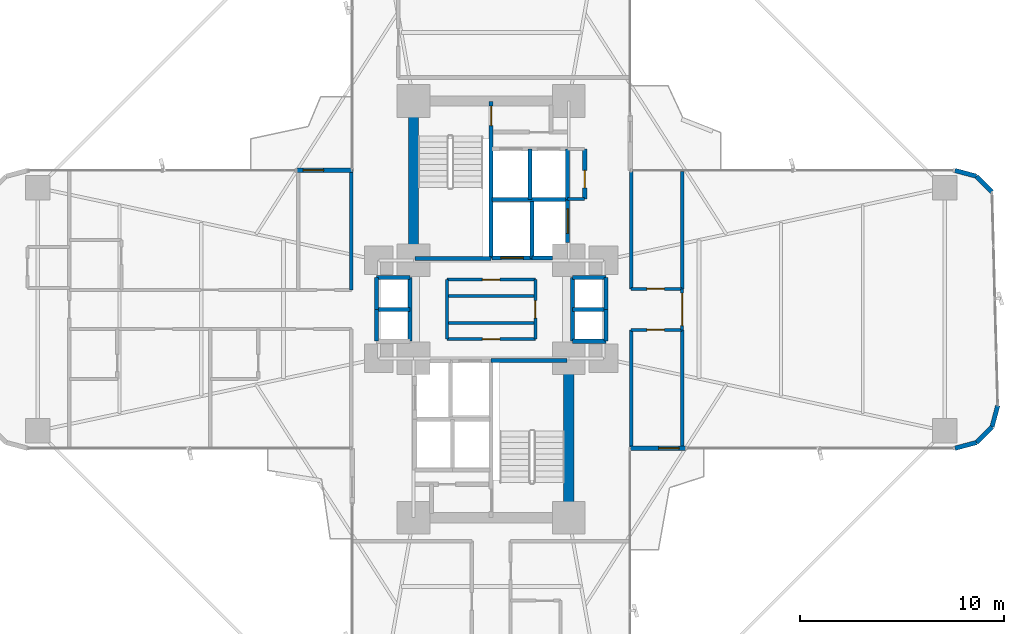
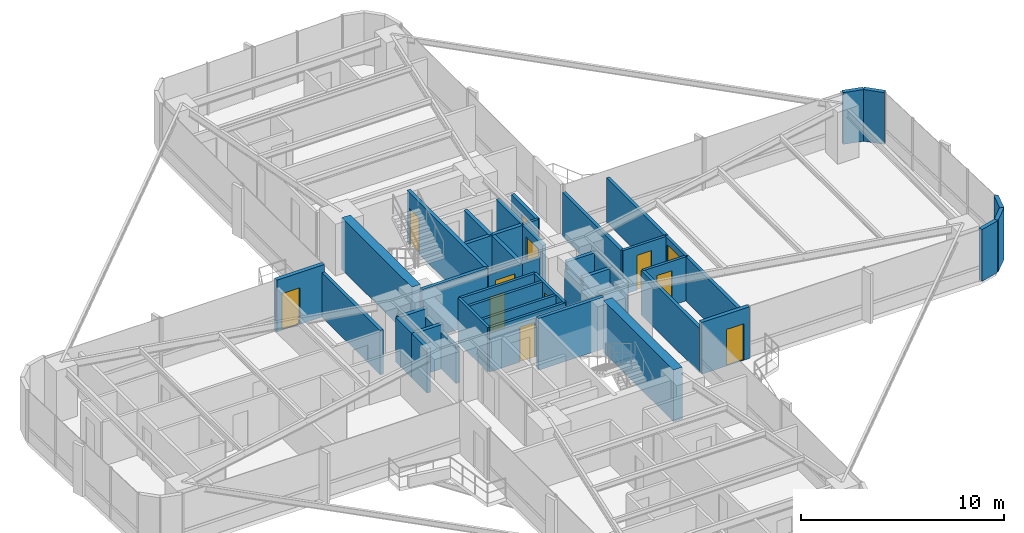
# One storey, part 23 of 25: 46 walls, 12 doors, 12 openings.
"""IFC4 building model written with IfcOpenShell, lengths in metres."""

from ifc_helpers import new_model, si_unit, direction, frame, frame_2d, origin, origin_2d, place, context, subcontext, project, spatial, rectangle, extrude, source, transform, mapped, material, layer, layer_set, type_object, element, fill, save


model = new_model("IFC4")

# Units and contexts
model_context = context("Model", 3, precision=1e-05, world=origin(), true_north=direction((0.0, 1.0)))
body_context = subcontext(model_context, "Body", "Model", "MODEL_VIEW")
ifc_project = project(units=[si_unit("LENGTHUNIT", "METRE"), si_unit("AREAUNIT", "SQUARE_METRE"), si_unit("VOLUMEUNIT", "CUBIC_METRE"), si_unit("PLANEANGLEUNIT", "RADIAN"), si_unit("MASSUNIT", "GRAM", prefix="KILO")], contexts=[model_context])

# Site, building, storey
site_placement = place(None, origin())
site = spatial("IfcSite", under=ifc_project, at=site_placement, CompositionType="ELEMENT")
building_placement = place(site_placement, origin())
building = spatial("IfcBuilding", under=site, at=building_placement, Name="Sahyath Konkavel Grand Hotel", CompositionType="ELEMENT")
storey_placement = place(building_placement, frame((0.0, 0.0, 67.800048828125)))
storey = spatial("IfcBuildingStorey", under=building, at=storey_placement, Name="L18", CompositionType="ELEMENT", Elevation=67.800048828125)

# Walls
ifc_material_1 = material(Name="Concrete C70/85", Category="concrete")
ifc_layer_1 = layer(ifc_material_1, 0.5)
ifc_layer_set_1 = layer_set([ifc_layer_1], Name="Concrete C70/85")
wall_type_1 = type_object("IfcWallType", Name="CWALL-500", PredefinedType="SHEAR", material=ifc_layer_set_1)
for number, where, z_axis, x_axis, name in (
    (1, (-3.800048828125, 2.85009765625, 0.0), (0.0, 0.0, 1.0), (0.0, 1.0, 0.0), "L18 North Core Shear Wall W"),
    (2, (3.800048828125, -9.75, 0.0), (0.0, 0.0, 1.0), (0.0, 1.0, 0.0), "L18 South Core Shear Wall E"),
):
    element("IfcWall", number, at=place(storey_placement, frame(where, z_axis=z_axis, x_axis=x_axis)), inside=storey, type_object=wall_type_1, Name=name, PredefinedType="SHEAR", context=body_context, shape_type="SweptSolid", body=[
        extrude(rectangle(XDim=6.89990234375, YDim=0.5, at=frame_2d((3.449951171875, 0.0))), origin(), (0.0, 0.0, 1.0), 3.10986328125),
    ])

# Wall, opening, door
ifc_material_2 = material(Name="Warm Buff Sandstone Insulated Concrete C40/50", Category="masonry")
ifc_layer_2 = layer(ifc_material_2, 0.219970703125)
ifc_layer_set_2 = layer_set([ifc_layer_2], Name="Warm Buff Sandstone Insulated Concrete C40/50")
wall_type_2 = type_object("IfcWallType", Name="WLL-BALC-THRESH", PredefinedType="STANDARD", material=ifc_layer_set_2)
wall_1_placement = place(storey_placement, frame((6.800048828125, -6.800048828125, 0.0), z_axis=(0.0, 0.0, 1.0), x_axis=(1.0, 0.0, 0.0)))
wall_1 = element("IfcWall", 3, at=wall_1_placement, inside=storey, type_object=wall_type_2, Name="L18 Winter-Garden Threshold Wall 0", PredefinedType="STANDARD", context=body_context, shape_type="SweptSolid", body=[
    extrude(rectangle(XDim=2.699951171875, YDim=0.219970703125, at=frame_2d((1.35009765625, 0.0))), origin(), (0.0, 0.0, 1.0), 3.10986328125),
])
opening_1_placement = place(wall_1_placement, frame((1.39990234375, 0.0, 0.0)))
opening_1 = element("IfcOpeningElement", 4, at=opening_1_placement, cuts=wall_1, Name="Opening D-TR1", PredefinedType="OPENING", context=body_context, shape_type="SweptSolid", body=[
    extrude(rectangle(XDim=1.0, YDim=2.199951171875, at=frame_2d((0.5, 1.10009765625))), frame((0.0, 0.1201171875, 0.0), z_axis=(0.0, -1.0, 0.0), x_axis=(1.0, 0.0, 0.0)), (0.0, 0.0, 1.0), 0.239990234375),
])
ifc_material_3 = material(Name="Anodised Bronze Aluminium & Low-E Glazing", Category="aluminium")
door_type_1 = type_object("IfcDoorType", Name="DR-TERRACE-1000", OperationType="NOTDEFINED", PredefinedType="DOOR", material=ifc_material_3)
shared_shape_1 = source(origin(), body_context, "Body", "SweptSolid", [
    extrude(rectangle(XDim=1.0, YDim=0.050048828125, at=origin_2d()), origin(), (0.0, 0.0, 1.0), 2.199951171875),
])
door_1_placement = place(opening_1_placement, frame((0.5, 0.0, 0.0)))
door_1 = element("IfcDoor", 5, at=door_1_placement, inside=storey, type_object=door_type_1, Name="L18 Winter-Garden Terrace Door 0", OperationType="SINGLE_SWING_LEFT", OverallHeight=2.199951171875, OverallWidth=1.0, PredefinedType="DOOR", context=body_context, shape_type="MappedRepresentation", body=[
    mapped(shared_shape_1, transform((0.0, 0.0, 0.0), scale=1.0)),
])
fill(opening_1, door_1)

# Walls
for number, where, z_axis, x_axis, name in (
    (6, (22.699951171875, -6.800048828125, 0.0), (0.0, 0.0, 1.0), (0.965951058412, 0.25872485917, 0.0), "L18 Rounded Corner Sandstone Pier 1"),
    (7, (23.75, -6.518798828125, 0.0), (0.0, 0.0, 1.0), (0.707106781187, 0.707106781187, 0.0), "L18 Rounded Corner Sandstone Pier 2"),
    (8, (24.518798828125, -5.75, 0.0), (0.0, 0.0, 1.0), (0.25872485917, 0.965951058412, 0.0), "L18 Rounded Corner Sandstone Pier 3"),
    (9, (24.518798828125, 5.75, 0.0), (0.0, 0.0, 1.0), (-0.707106781187, 0.707106781187, 0.0), "L18 Rounded Corner Sandstone Pier 5"),
    (10, (23.75, 6.518798828125, 0.0), (0.0, 0.0, 1.0), (-0.965951058412, 0.25872485917, 0.0), "L18 Rounded Corner Sandstone Pier 6"),
):
    element("IfcWall", number, at=place(storey_placement, frame(where, z_axis=z_axis, x_axis=x_axis)), inside=storey, type_object=wall_type_2, Name=name, PredefinedType="STANDARD", context=body_context, shape_type="SweptSolid", body=[
        extrude(rectangle(XDim=1.087158203125, YDim=0.219970703125, at=frame_2d((0.54345703125, 0.0))), origin(), (0.0, 0.0, 1.0), 3.10986328125),
    ])

# Wall, opening, door
wall_2_placement = place(storey_placement, frame((-6.800048828125, 6.800048828125, 0.0), z_axis=(0.0, 0.0, 1.0), x_axis=(-1.0, 0.0, 0.0)))
wall_2 = element("IfcWall", 11, at=wall_2_placement, inside=storey, type_object=wall_type_2, Name="L18 Winter-Garden Threshold Wall 16", PredefinedType="STANDARD", context=body_context, shape_type="SweptSolid", body=[
    extrude(rectangle(XDim=2.699951171875, YDim=0.219970703125, at=frame_2d((1.35009765625, 0.0))), origin(), (0.0, 0.0, 1.0), 3.10986328125),
])
opening_2_placement = place(wall_2_placement, frame((1.39990234375, 0.0, 0.0)))
opening_2 = element("IfcOpeningElement", 12, at=opening_2_placement, cuts=wall_2, Name="Opening D-TR1", PredefinedType="OPENING", context=body_context, shape_type="SweptSolid", body=[
    extrude(rectangle(XDim=1.0, YDim=2.199951171875, at=frame_2d((0.5, 1.10009765625))), frame((0.0, 0.1201171875, 0.0), z_axis=(0.0, -1.0, 0.0), x_axis=(1.0, 0.0, 0.0)), (0.0, 0.0, 1.0), 0.239990234375),
])
door_2_placement = place(opening_2_placement, frame((0.5, 0.0, 0.0)))
door_2 = element("IfcDoor", 13, at=door_2_placement, inside=storey, type_object=door_type_1, Name="L18 Winter-Garden Terrace Door 16", OperationType="SINGLE_SWING_LEFT", OverallHeight=2.199951171875, OverallWidth=1.0, PredefinedType="DOOR", context=body_context, shape_type="MappedRepresentation", body=[
    mapped(shared_shape_1, transform((0.0, 0.0, 0.0), scale=1.0)),
])
fill(opening_2, door_2)

ifc_material_4 = material(Name="Concrete C40/50", Category="concrete")
ifc_layer_3 = layer(ifc_material_4, 0.199951171875)
ifc_layer_set_3 = layer_set([ifc_layer_3], Name="Concrete C40/50")
wall_type_3 = type_object("IfcWallType", Name="WLL-CORE-200", PredefinedType="SOLIDWALL", material=ifc_layer_set_3)
wall_3_placement = place(storey_placement, frame((0.0, 2.5, 0.0), z_axis=(0.0, 0.0, 1.0), x_axis=(0.0, 1.0, 0.0)))
wall_3 = element("IfcWall", 14, at=wall_3_placement, inside=storey, type_object=wall_type_3, Name="L18 Stair ST-1 Shaft Wall E", PredefinedType="SOLIDWALL", context=body_context, shape_type="SweptSolid", body=[
    extrude(rectangle(XDim=7.679931640625, YDim=0.199951171875, at=frame_2d((3.83984375, 0.0))), origin(), (0.0, 0.0, 1.0), 3.10986328125),
])
opening_3_placement = place(wall_3_placement, frame((6.5, 0.0, 0.0)))
opening_3 = element("IfcOpeningElement", 15, at=opening_3_placement, cuts=wall_3, Name="Opening D-F12C", PredefinedType="OPENING", context=body_context, shape_type="SweptSolid", body=[
    extrude(rectangle(XDim=0.949951171875, YDim=2.14990234375, at=frame_2d((0.47509765625, 1.074951171875))), frame((0.0, 0.10986328125, 0.0), z_axis=(0.0, -1.0, 0.0), x_axis=(1.0, 0.0, 0.0)), (0.0, 0.0, 1.0), 0.219970703125),
])
ifc_material_5 = material(Name="Steel E350 Plant Fire Door", Category="steel")
door_type_2 = type_object("IfcDoorType", Name="DR-FD120-950", OperationType="NOTDEFINED", PredefinedType="DOOR", material=ifc_material_5)
shared_shape_2 = source(origin(), body_context, "Body", "SweptSolid", [
    extrude(rectangle(XDim=0.949951171875, YDim=0.050048828125, at=origin_2d()), origin(), (0.0, 0.0, 1.0), 2.14990234375),
])
door_3_placement = place(opening_3_placement, frame((0.47509765625, 0.0, 0.0)))
door_3 = element("IfcDoor", 16, at=door_3_placement, inside=storey, type_object=door_type_2, Name="L18 Stair ST-1 Fire Door", OperationType="SINGLE_SWING_RIGHT", OverallHeight=2.14990234375, OverallWidth=0.949951171875, PredefinedType="DOOR", context=body_context, shape_type="MappedRepresentation", body=[
    mapped(shared_shape_2, transform((0.0, 0.0, 0.0), scale=1.0)),
])
fill(opening_3, door_3)

# Walls
for number, where, z_axis, x_axis, name in (
    (17, (-3.719970703125, 2.5, 0.0), (0.0, 0.0, 1.0), (1.0, 0.0, 0.0), "L18 Stair ST-1 Shaft Wall S"),
    (18, (0.0, -2.5, 0.0), (0.0, 0.0, 1.0), (1.0, 0.0, 0.0), "L18 Stair ST-2 Shaft Wall N"),
):
    element("IfcWall", number, at=place(storey_placement, frame(where, z_axis=z_axis, x_axis=x_axis)), inside=storey, type_object=wall_type_3, Name=name, PredefinedType="SOLIDWALL", context=body_context, shape_type="SweptSolid", body=[
        extrude(rectangle(XDim=3.719970703125, YDim=0.199951171875, at=frame_2d((1.85986328125, 0.0))), origin(), (0.0, 0.0, 1.0), 3.10986328125),
    ])
wall_4_placement = place(storey_placement, frame((2.0, 2.5, 0.0), z_axis=(0.0, 0.0, 1.0), x_axis=(0.0, 1.0, 0.0)))
element("IfcWall", 19, at=wall_4_placement, inside=storey, type_object=wall_type_3, Name="L18 Partition SH-FFL1-E", PredefinedType="SOLIDWALL", context=body_context, shape_type="SweptSolid", body=[
    extrude(rectangle(XDim=2.780029296875, YDim=0.199951171875, at=frame_2d((1.39013671875, 0.0))), origin(), (0.0, 0.0, 1.0), 2.659912109375),
])

# Wall, opening, door
wall_5_placement = place(storey_placement, frame((0.050048828125, 2.52001953125, 0.0), z_axis=(0.0, 0.0, 1.0), x_axis=(1.0, 0.0, 0.0)))
wall_5 = element("IfcWall", 20, at=wall_5_placement, inside=storey, type_object=wall_type_3, Name="L18 Partition SH-FFL1-S", PredefinedType="SOLIDWALL", context=body_context, shape_type="SweptSolid", body=[
    extrude(rectangle(XDim=1.949951171875, YDim=0.199951171875, at=frame_2d((0.97509765625, 0.0))), origin(), (0.0, 0.0, 1.0), 2.659912109375),
])
opening_4_placement = place(wall_5_placement, frame((0.419921875, 0.0, 0.0)))
opening_4 = element("IfcOpeningElement", 21, at=opening_4_placement, cuts=wall_5, Name="Opening LD-11", PredefinedType="OPENING", context=body_context, shape_type="SweptSolid", body=[
    extrude(rectangle(XDim=1.10009765625, YDim=2.199951171875, at=frame_2d((0.550048828125, 1.10009765625))), frame((0.0, 0.10986328125, 0.0), z_axis=(0.0, -1.0, 0.0), x_axis=(1.0, 0.0, 0.0)), (0.0, 0.0, 1.0), 0.219970703125),
])
ifc_material_6 = material(Name="Bronze Lift Landing Door 1100")
door_type_3 = type_object("IfcDoorType", Name="DR-LIFT-1100", OperationType="DOUBLE_DOOR_SLIDING", PredefinedType="DOOR", material=ifc_material_6)
shared_shape_3 = source(origin(), body_context, "Body", "SweptSolid", [
    extrude(rectangle(XDim=1.10009765625, YDim=0.050048828125, at=origin_2d()), origin(), (0.0, 0.0, 1.0), 2.199951171875),
])
door_4_placement = place(opening_4_placement, frame((0.550048828125, 0.0, 0.0)))
door_4 = element("IfcDoor", 22, at=door_4_placement, inside=storey, type_object=door_type_3, Name="L18 Lift FFL-1 Landing Door", OperationType="DOUBLE_DOOR_SLIDING", OverallHeight=2.199951171875, OverallWidth=1.10009765625, PredefinedType="DOOR", context=body_context, shape_type="MappedRepresentation", body=[
    mapped(shared_shape_3, transform((0.0, 0.0, 0.0), scale=1.0)),
])
fill(opening_4, door_4)

# Wall
wall_6_placement = place(storey_placement, frame((2.0, 2.52001953125, 0.0), z_axis=(0.0, 0.0, 1.0), x_axis=(1.0, 0.0, 0.0)))
element("IfcWall", 23, at=wall_6_placement, inside=storey, type_object=wall_type_3, Name="L18 Partition SH-SVL1-S", PredefinedType="SOLIDWALL", context=body_context, shape_type="SweptSolid", body=[
    extrude(rectangle(XDim=1.0, YDim=0.199951171875, at=frame_2d((0.5, 0.0))), origin(), (0.0, 0.0, 1.0), 2.659912109375),
])

# Wall, opening, door
wall_7_placement = place(storey_placement, frame((3.739990234375, 3.280029296875, 0.0), z_axis=(0.0, 0.0, 1.0), x_axis=(0.0, 1.0, 0.0)))
wall_7 = element("IfcWall", 24, at=wall_7_placement, inside=storey, type_object=wall_type_3, Name="L18 Partition SH-SVL1-E", PredefinedType="SOLIDWALL", context=body_context, shape_type="SweptSolid", body=[
    extrude(rectangle(XDim=2.080078125, YDim=0.199951171875, at=frame_2d((1.0400390625, 0.0))), origin(), (0.0, 0.0, 1.0), 2.659912109375),
])
opening_5_placement = place(wall_7_placement, frame((0.43994140625, 0.0, 0.0)))
opening_5 = element("IfcOpeningElement", 25, at=opening_5_placement, cuts=wall_7, Name="Opening LD-12", PredefinedType="OPENING", context=body_context, shape_type="SweptSolid", body=[
    extrude(rectangle(XDim=1.199951171875, YDim=2.199951171875, at=frame_2d((0.60009765625, 1.10009765625))), frame((0.0, 0.10986328125, 0.0), z_axis=(0.0, -1.0, 0.0), x_axis=(1.0, 0.0, 0.0)), (0.0, 0.0, 1.0), 0.219970703125),
])
ifc_material_7 = material(Name="Stainless Steel Lift Landing Door 1200", Category="steel")
door_type_4 = type_object("IfcDoorType", Name="DR-LIFT-1200", OperationType="DOUBLE_DOOR_SLIDING", PredefinedType="DOOR", material=ifc_material_7)
shared_shape_4 = source(origin(), body_context, "Body", "SweptSolid", [
    extrude(rectangle(XDim=1.199951171875, YDim=0.050048828125, at=origin_2d()), origin(), (0.0, 0.0, 1.0), 2.199951171875),
])
door_5_placement = place(opening_5_placement, frame((0.60009765625, 0.0, 0.0)))
door_5 = element("IfcDoor", 26, at=door_5_placement, inside=storey, type_object=door_type_4, Name="L18 Service Lift SVL-1 Landing Door", OperationType="DOUBLE_DOOR_SLIDING", OverallHeight=2.199951171875, OverallWidth=1.199951171875, PredefinedType="DOOR", context=body_context, shape_type="MappedRepresentation", body=[
    mapped(shared_shape_4, transform((0.0, 0.0, 0.0), scale=1.0)),
])
fill(opening_5, door_5)

# Walls
wall_8_placement = place(storey_placement, frame((0.050048828125, 5.3798828125, 0.0), z_axis=(0.0, 0.0, 1.0), x_axis=(1.0, 0.0, 0.0)))
element("IfcWall", 27, at=wall_8_placement, inside=storey, type_object=wall_type_3, Name="L18 Partition SH-PL12-S", PredefinedType="SOLIDWALL", context=body_context, shape_type="SweptSolid", body=[
    extrude(rectangle(XDim=3.68994140625, YDim=0.199951171875, at=frame_2d((1.844970703125, 0.0))), origin(), (0.0, 0.0, 1.0), 2.659912109375),
])
for number, where, z_axis, x_axis, name in (
    (28, (1.89990234375, 5.3798828125, 0.0), (0.0, 0.0, 1.0), (0.0, 1.0, 0.0), "L18 Partition SH-PL12-M"),
    (29, (3.739990234375, 5.3798828125, 0.0), (0.0, 0.0, 1.0), (0.0, 1.0, 0.0), "L18 Partition SH-PL2-E"),
):
    element("IfcWall", number, at=place(storey_placement, frame(where, z_axis=z_axis, x_axis=x_axis)), inside=storey, type_object=wall_type_3, Name=name, PredefinedType="SOLIDWALL", context=body_context, shape_type="SweptSolid", body=[
        extrude(rectangle(XDim=2.480224609375, YDim=0.199951171875, at=frame_2d((1.240234375, 0.0))), origin(), (0.0, 0.0, 1.0), 2.659912109375),
    ])
wall_9_placement = place(storey_placement, frame((3.97998046875, -1.56005859375, 0.0), z_axis=(0.0, 0.0, 1.0), x_axis=(0.0, 1.0, 0.0)))
element("IfcWall", 30, at=wall_9_placement, inside=storey, type_object=wall_type_3, Name="L18 Partition SH-PL56-W", PredefinedType="SOLIDWALL", context=body_context, shape_type="SweptSolid", body=[
    extrude(rectangle(XDim=3.1201171875, YDim=0.199951171875, at=frame_2d((1.56005859375, 0.0))), origin(), (0.0, 0.0, 1.0), 2.179931640625),
])
for number, where, z_axis, x_axis, name in (
    (31, (3.97998046875, 1.56005859375, 0.0), (0.0, 0.0, 1.0), (1.0, 0.0, 0.0), "L18 Partition SH-PL56-N"),
    (32, (3.97998046875, -1.56005859375, 0.0), (0.0, 0.0, 1.0), (1.0, 0.0, 0.0), "L18 Partition SH-PL56-S"),
    (33, (3.97998046875, 0.0, 0.0), (0.0, 0.0, 1.0), (1.0, 0.0, 0.0), "L18 Partition SH-PL56-M"),
):
    element("IfcWall", number, at=place(storey_placement, frame(where, z_axis=z_axis, x_axis=x_axis)), inside=storey, type_object=wall_type_3, Name=name, PredefinedType="SOLIDWALL", context=body_context, shape_type="SweptSolid", body=[
        extrude(rectangle(XDim=1.64013671875, YDim=0.199951171875, at=frame_2d((0.820068359375, 0.0))), origin(), (0.0, 0.0, 1.0), 2.659912109375),
    ])
for number, where, z_axis, x_axis, name in (
    (34, (5.6201171875, 0.0, 0.0), (0.0, 0.0, 1.0), (0.0, 1.0, 0.0), "L18 Partition SH-PL5-E"),
    (35, (5.6201171875, -1.56005859375, 0.0), (0.0, 0.0, 1.0), (0.0, 1.0, 0.0), "L18 Partition SH-PL6-E"),
):
    element("IfcWall", number, at=place(storey_placement, frame(where, z_axis=z_axis, x_axis=x_axis)), inside=storey, type_object=wall_type_3, Name=name, PredefinedType="SOLIDWALL", context=body_context, shape_type="SweptSolid", body=[
        extrude(rectangle(XDim=1.56005859375, YDim=0.199951171875, at=frame_2d((0.780029296875, 0.0))), origin(), (0.0, 0.0, 1.0), 2.659912109375),
    ])
wall_10_placement = place(storey_placement, frame((-3.97998046875, -1.56005859375, 0.0), z_axis=(0.0, 0.0, 1.0), x_axis=(0.0, 1.0, 0.0)))
element("IfcWall", 36, at=wall_10_placement, inside=storey, type_object=wall_type_3, Name="L18 Partition SH-SL12-E", PredefinedType="SOLIDWALL", context=body_context, shape_type="SweptSolid", body=[
    extrude(rectangle(XDim=3.1201171875, YDim=0.199951171875, at=frame_2d((1.56005859375, 0.0))), origin(), (0.0, 0.0, 1.0), 2.179931640625),
])
for number, where, z_axis, x_axis, name in (
    (37, (-5.6201171875, 1.56005859375, 0.0), (0.0, 0.0, 1.0), (1.0, 0.0, 0.0), "L18 Partition SH-SL12-N"),
    (38, (-5.6201171875, 0.0, 0.0), (0.0, 0.0, 1.0), (1.0, 0.0, 0.0), "L18 Partition SH-SL12-M"),
):
    element("IfcWall", number, at=place(storey_placement, frame(where, z_axis=z_axis, x_axis=x_axis)), inside=storey, type_object=wall_type_3, Name=name, PredefinedType="SOLIDWALL", context=body_context, shape_type="SweptSolid", body=[
        extrude(rectangle(XDim=1.64013671875, YDim=0.199951171875, at=frame_2d((0.820068359375, 0.0))), origin(), (0.0, 0.0, 1.0), 2.659912109375),
    ])
for number, where, z_axis, x_axis, name in (
    (39, (-5.6201171875, 0.0, 0.0), (0.0, 0.0, 1.0), (0.0, 1.0, 0.0), "L18 Partition SH-SL1-W"),
    (40, (-5.6201171875, -1.56005859375, 0.0), (0.0, 0.0, 1.0), (0.0, 1.0, 0.0), "L18 Partition SH-SL2-W"),
):
    element("IfcWall", number, at=place(storey_placement, frame(where, z_axis=z_axis, x_axis=x_axis)), inside=storey, type_object=wall_type_3, Name=name, PredefinedType="SOLIDWALL", context=body_context, shape_type="SweptSolid", body=[
        extrude(rectangle(XDim=1.56005859375, YDim=0.199951171875, at=frame_2d((0.780029296875, 0.0))), origin(), (0.0, 0.0, 1.0), 2.659912109375),
    ])

# Wall, opening, door
wall_11_placement = place(storey_placement, frame((4.580078125, 5.39990234375, 0.0), z_axis=(0.0, 0.0, 1.0), x_axis=(0.0, 1.0, 0.0)))
wall_11 = element("IfcWall", 41, at=wall_11_placement, inside=storey, type_object=wall_type_3, Name="L18 Partition NC-FLK-E", PredefinedType="SOLIDWALL", context=body_context, shape_type="SweptSolid", body=[
    extrude(rectangle(XDim=2.460205078125, YDim=0.199951171875, at=frame_2d((1.22998046875, 0.0))), origin(), (0.0, 0.0, 1.0), 2.659912109375),
])
opening_6_placement = place(wall_11_placement, frame((0.550048828125, 0.0, 0.0)))
opening_6 = element("IfcOpeningElement", 42, at=opening_6_placement, cuts=wall_11, Name="Opening D-F06D", PredefinedType="OPENING", context=body_context, shape_type="SweptSolid", body=[
    extrude(rectangle(XDim=0.85009765625, YDim=2.10009765625, at=frame_2d((0.425048828125, 1.050048828125))), frame((0.0, 0.10986328125, 0.0), z_axis=(0.0, -1.0, 0.0), x_axis=(1.0, 0.0, 0.0)), (0.0, 0.0, 1.0), 0.219970703125),
])
ifc_material_8 = material(Name="Fire-Rated Shaft Access Door")
door_type_5 = type_object("IfcDoorType", Name="DR-FD60-850", OperationType="NOTDEFINED", PredefinedType="DOOR", material=ifc_material_8)
shared_shape_5 = source(origin(), body_context, "Body", "SweptSolid", [
    extrude(rectangle(XDim=0.85009765625, YDim=0.050048828125, at=origin_2d()), origin(), (0.0, 0.0, 1.0), 2.10009765625),
])
door_6_placement = place(opening_6_placement, frame((0.425048828125, 0.0, 0.0)))
door_6 = element("IfcDoor", 43, at=door_6_placement, inside=storey, type_object=door_type_5, Name="L18 Door NC-FLK1-D", OperationType="SINGLE_SWING_RIGHT", OverallHeight=2.10009765625, OverallWidth=0.85009765625, PredefinedType="DOOR", context=body_context, shape_type="MappedRepresentation", body=[
    mapped(shared_shape_5, transform((0.0, 0.0, 0.0), scale=1.0)),
])
fill(opening_6, door_6)

# Walls
ifc_material_9 = material(Name="Twin-Stud Acoustic Gypsum Plasterboard Partition")
ifc_layer_4 = layer(ifc_material_9, 0.179931640625)
ifc_layer_set_4 = layer_set([ifc_layer_4], Name="Twin-Stud Acoustic Gypsum Plasterboard Partition")
wall_type_4 = type_object("IfcWallType", Name="WLL-DEMISE-180", PredefinedType="PARTITIONING", material=ifc_layer_set_4)
for number, where, z_axis, x_axis, name in (
    (44, (6.85009765625, 1.0, 0.0), (0.0, 0.0, 1.0), (0.0, 1.0, 0.0), "L18 Partition E-I0L"),
    (45, (6.85009765625, -6.75, 0.0), (0.0, 0.0, 1.0), (0.0, 1.0, 0.0), "L18 Partition E-I0R"),
    (46, (9.35009765625, -1.0, 0.0), (0.0, 0.0, 1.0), (0.0, -1.0, 0.0), "L18 Partition E-EHK0-DEM"),
    (47, (9.35009765625, 1.0, 0.0), (0.0, 0.0, 1.0), (0.0, 1.0, 0.0), "L18 Partition E-EST0-DEM"),
):
    element("IfcWall", number, at=place(storey_placement, frame(where, z_axis=z_axis, x_axis=x_axis)), inside=storey, type_object=wall_type_4, Name=name, PredefinedType="PARTITIONING", context=body_context, shape_type="SweptSolid", body=[
        extrude(rectangle(XDim=5.75, YDim=0.179931640625, at=frame_2d((2.875, 0.0))), origin(), (0.0, 0.0, 1.0), 2.659912109375),
    ])
wall_12_placement = place(storey_placement, frame((-6.85009765625, 6.75, 0.0), z_axis=(0.0, 0.0, 1.0), x_axis=(0.0, -1.0, 0.0)))
element("IfcWall", 48, at=wall_12_placement, inside=storey, type_object=wall_type_4, Name="L18 Partition W-INR", PredefinedType="PARTITIONING", context=body_context, shape_type="SweptSolid", body=[
    extrude(rectangle(XDim=5.800048828125, YDim=0.179931640625, at=frame_2d((2.89990234375, 0.0))), origin(), (0.0, 0.0, 1.0), 2.659912109375),
])
ifc_material_10 = material(Name="Fire-Rated Gypsum Plasterboard Partition")
ifc_layer_5 = layer(ifc_material_10, 0.14990234375)
ifc_layer_set_5 = layer_set([ifc_layer_5], Name="Fire-Rated Gypsum Plasterboard Partition")
wall_type_5 = type_object("IfcWallType", Name="WLL-PART-150", PredefinedType="PARTITIONING", material=ifc_layer_set_5)
wall_13_placement = place(storey_placement, frame((3.739990234375, 5.39990234375, 0.0), z_axis=(0.0, 0.0, 1.0), x_axis=(1.0, 0.0, 0.0)))
element("IfcWall", 49, at=wall_13_placement, inside=storey, type_object=wall_type_5, Name="L18 Partition NC-FLK-S", PredefinedType="PARTITIONING", context=body_context, shape_type="SweptSolid", body=[
    extrude(rectangle(XDim=0.840087890625, YDim=0.14990234375, at=frame_2d((0.419921875, 0.0))), origin(), (0.0, 0.0, 1.0), 2.659912109375),
])

# Wall, opening, door
wall_14_placement = place(storey_placement, frame((2.159912109375, -1.4599609375, 0.0), z_axis=(0.0, 0.0, 1.0), x_axis=(0.0, 1.0, 0.0)))
wall_14 = element("IfcWall", 50, at=wall_14_placement, inside=storey, type_object=wall_type_5, Name="L18 Partition CC-2E", PredefinedType="PARTITIONING", context=body_context, shape_type="SweptSolid", body=[
    extrude(rectangle(XDim=2.919921875, YDim=0.14990234375, at=frame_2d((1.4599609375, 0.0))), origin(), (0.0, 0.0, 1.0), 2.659912109375),
])
opening_7_placement = place(wall_14_placement, frame((1.034912109375, 0.0, 0.0)))
opening_7 = element("IfcOpeningElement", 51, at=opening_7_placement, cuts=wall_14, Name="Opening D-F06D", PredefinedType="OPENING", context=body_context, shape_type="SweptSolid", body=[
    extrude(rectangle(XDim=0.85009765625, YDim=2.10009765625, at=frame_2d((0.425048828125, 1.050048828125))), frame((0.0, 0.0849609375, 0.0), z_axis=(0.0, -1.0, 0.0), x_axis=(1.0, 0.0, 0.0)), (0.0, 0.0, 1.0), 0.169921875),
])
door_7_placement = place(opening_7_placement, frame((0.425048828125, 0.0, 0.0)))
door_7 = element("IfcDoor", 52, at=door_7_placement, inside=storey, type_object=door_type_5, Name="L18 Door CC-D2B", OperationType="SINGLE_SWING_RIGHT", OverallHeight=2.10009765625, OverallWidth=0.85009765625, PredefinedType="DOOR", context=body_context, shape_type="MappedRepresentation", body=[
    mapped(shared_shape_5, transform((0.0, 0.0, 0.0), scale=1.0)),
])
fill(opening_7, door_7)

# Wall
wall_15_placement = place(storey_placement, frame((-2.159912109375, -1.4599609375, 0.0), z_axis=(0.0, 0.0, 1.0), x_axis=(0.0, 1.0, 0.0)))
element("IfcWall", 53, at=wall_15_placement, inside=storey, type_object=wall_type_5, Name="L18 Partition CC-2W", PredefinedType="PARTITIONING", context=body_context, shape_type="SweptSolid", body=[
    extrude(rectangle(XDim=2.919921875, YDim=0.14990234375, at=frame_2d((1.4599609375, 0.0))), origin(), (0.0, 0.0, 1.0), 2.659912109375),
])

# Wall, opening, door
wall_16_placement = place(storey_placement, frame((-2.159912109375, 1.4599609375, 0.0), z_axis=(0.0, 0.0, 1.0), x_axis=(1.0, 0.0, 0.0)))
wall_16 = element("IfcWall", 54, at=wall_16_placement, inside=storey, type_object=wall_type_5, Name="L18 Partition CC-2N", PredefinedType="PARTITIONING", context=body_context, shape_type="SweptSolid", body=[
    extrude(rectangle(XDim=4.31982421875, YDim=0.14990234375, at=frame_2d((2.159912109375, 0.0))), origin(), (0.0, 0.0, 1.0), 2.659912109375),
])
opening_8_placement = place(wall_16_placement, frame((1.72998046875, 0.0, 0.0)))
opening_8 = element("IfcOpeningElement", 55, at=opening_8_placement, cuts=wall_16, Name="Opening D-F06D", PredefinedType="OPENING", context=body_context, shape_type="SweptSolid", body=[
    extrude(rectangle(XDim=0.85009765625, YDim=2.10009765625, at=frame_2d((0.425048828125, 1.050048828125))), frame((0.0, 0.0849609375, 0.0), z_axis=(0.0, -1.0, 0.0), x_axis=(1.0, 0.0, 0.0)), (0.0, 0.0, 1.0), 0.169921875),
])
door_8_placement = place(opening_8_placement, frame((0.425048828125, 0.0, 0.0)))
door_8 = element("IfcDoor", 56, at=door_8_placement, inside=storey, type_object=door_type_5, Name="L18 Door CC-D2A", OperationType="SINGLE_SWING_LEFT", OverallHeight=2.10009765625, OverallWidth=0.85009765625, PredefinedType="DOOR", context=body_context, shape_type="MappedRepresentation", body=[
    mapped(shared_shape_5, transform((0.0, 0.0, 0.0), scale=1.0)),
])
fill(opening_8, door_8)

wall_17_placement = place(storey_placement, frame((-2.159912109375, -1.4599609375, 0.0), z_axis=(0.0, 0.0, 1.0), x_axis=(1.0, 0.0, 0.0)))
wall_17 = element("IfcWall", 57, at=wall_17_placement, inside=storey, type_object=wall_type_5, Name="L18 Partition CC-2S", PredefinedType="PARTITIONING", context=body_context, shape_type="SweptSolid", body=[
    extrude(rectangle(XDim=4.31982421875, YDim=0.14990234375, at=frame_2d((2.159912109375, 0.0))), origin(), (0.0, 0.0, 1.0), 2.659912109375),
])
opening_9_placement = place(wall_17_placement, frame((1.72998046875, 0.0, 0.0)))
opening_9 = element("IfcOpeningElement", 58, at=opening_9_placement, cuts=wall_17, Name="Opening D-F06D", PredefinedType="OPENING", context=body_context, shape_type="SweptSolid", body=[
    extrude(rectangle(XDim=0.85009765625, YDim=2.10009765625, at=frame_2d((0.425048828125, 1.050048828125))), frame((0.0, 0.0849609375, 0.0), z_axis=(0.0, -1.0, 0.0), x_axis=(1.0, 0.0, 0.0)), (0.0, 0.0, 1.0), 0.169921875),
])
door_9_placement = place(opening_9_placement, frame((0.425048828125, 0.0, 0.0)))
door_9 = element("IfcDoor", 59, at=door_9_placement, inside=storey, type_object=door_type_5, Name="L18 Door CC-D2C", OperationType="SINGLE_SWING_LEFT", OverallHeight=2.10009765625, OverallWidth=0.85009765625, PredefinedType="DOOR", context=body_context, shape_type="MappedRepresentation", body=[
    mapped(shared_shape_5, transform((0.0, 0.0, 0.0), scale=1.0)),
])
fill(opening_9, door_9)

# Walls
for number, where, z_axis, x_axis, name in (
    (60, (-2.159912109375, 0.659912109375, 0.0), (0.0, 0.0, 1.0), (1.0, 0.0, 0.0), "L18 Partition CC-2M1"),
    (61, (-2.159912109375, -0.659912109375, 0.0), (0.0, 0.0, 1.0), (1.0, 0.0, 0.0), "L18 Partition CC-2M2"),
):
    element("IfcWall", number, at=place(storey_placement, frame(where, z_axis=z_axis, x_axis=x_axis)), inside=storey, type_object=wall_type_5, Name=name, PredefinedType="PARTITIONING", context=body_context, shape_type="SweptSolid", body=[
        extrude(rectangle(XDim=4.31982421875, YDim=0.14990234375, at=frame_2d((2.159912109375, 0.0))), origin(), (0.0, 0.0, 1.0), 2.659912109375),
    ])

# Wall, opening, door
wall_18_placement = place(storey_placement, frame((6.85009765625, 1.0, 0.0), z_axis=(0.0, 0.0, 1.0), x_axis=(1.0, 0.0, 0.0)))
wall_18 = element("IfcWall", 62, at=wall_18_placement, inside=storey, type_object=wall_type_5, Name="L18 Partition E-C0L", PredefinedType="PARTITIONING", context=body_context, shape_type="SweptSolid", body=[
    extrude(rectangle(XDim=2.5, YDim=0.14990234375, at=frame_2d((1.25, 0.0))), origin(), (0.0, 0.0, 1.0), 2.659912109375),
])
opening_10_placement = place(wall_18_placement, frame((0.77490234375, 0.0, 0.0)))
opening_10 = element("IfcOpeningElement", 63, at=opening_10_placement, cuts=wall_18, Name="Opening D-F06D", PredefinedType="OPENING", context=body_context, shape_type="SweptSolid", body=[
    extrude(rectangle(XDim=0.85009765625, YDim=2.10009765625, at=frame_2d((0.425048828125, 1.050048828125))), frame((0.0, 0.0849609375, 0.0), z_axis=(0.0, -1.0, 0.0), x_axis=(1.0, 0.0, 0.0)), (0.0, 0.0, 1.0), 0.169921875),
])
door_10_placement = place(opening_10_placement, frame((0.425048828125, 0.0, 0.0)))
door_10 = element("IfcDoor", 64, at=door_10_placement, inside=storey, type_object=door_type_5, Name="L18 Door E-EST0-D", OperationType="SINGLE_SWING_LEFT", OverallHeight=2.10009765625, OverallWidth=0.85009765625, PredefinedType="DOOR", context=body_context, shape_type="MappedRepresentation", body=[
    mapped(shared_shape_5, transform((0.0, 0.0, 0.0), scale=1.0)),
])
fill(opening_10, door_10)

wall_19_placement = place(storey_placement, frame((6.85009765625, -1.0, 0.0), z_axis=(0.0, 0.0, 1.0), x_axis=(1.0, 0.0, 0.0)))
wall_19 = element("IfcWall", 65, at=wall_19_placement, inside=storey, type_object=wall_type_5, Name="L18 Partition E-C0R", PredefinedType="PARTITIONING", context=body_context, shape_type="SweptSolid", body=[
    extrude(rectangle(XDim=2.5, YDim=0.14990234375, at=frame_2d((1.25, 0.0))), origin(), (0.0, 0.0, 1.0), 2.659912109375),
])
opening_11_placement = place(wall_19_placement, frame((0.77490234375, 0.0, 0.0)))
opening_11 = element("IfcOpeningElement", 66, at=opening_11_placement, cuts=wall_19, Name="Opening D-F06D", PredefinedType="OPENING", context=body_context, shape_type="SweptSolid", body=[
    extrude(rectangle(XDim=0.85009765625, YDim=2.10009765625, at=frame_2d((0.425048828125, 1.050048828125))), frame((0.0, 0.0849609375, 0.0), z_axis=(0.0, -1.0, 0.0), x_axis=(1.0, 0.0, 0.0)), (0.0, 0.0, 1.0), 0.169921875),
])
door_11_placement = place(opening_11_placement, frame((0.425048828125, 0.0, 0.0)))
door_11 = element("IfcDoor", 67, at=door_11_placement, inside=storey, type_object=door_type_5, Name="L18 Door E-EHK0-D", OperationType="SINGLE_SWING_RIGHT", OverallHeight=2.10009765625, OverallWidth=0.85009765625, PredefinedType="DOOR", context=body_context, shape_type="MappedRepresentation", body=[
    mapped(shared_shape_5, transform((0.0, 0.0, 0.0), scale=1.0)),
])
fill(opening_11, door_11)

wall_20_placement = place(storey_placement, frame((9.35009765625, -1.0, 0.0), z_axis=(0.0, 0.0, 1.0), x_axis=(0.0, 1.0, 0.0)))
wall_20 = element("IfcWall", 68, at=wall_20_placement, inside=storey, type_object=wall_type_5, Name="L18 Partition E-SAL-IN", PredefinedType="PARTITIONING", context=body_context, shape_type="SweptSolid", body=[
    extrude(rectangle(XDim=2.0, YDim=0.14990234375, at=frame_2d((1.0, 0.0))), origin(), (0.0, 0.0, 1.0), 2.659912109375),
])
opening_12_placement = place(wall_20_placement, frame((0.199951171875, 0.0, 0.0)))
opening_12 = element("IfcOpeningElement", 69, at=opening_12_placement, cuts=wall_20, Name="Opening D-DB16", PredefinedType="OPENING", context=body_context, shape_type="SweptSolid", body=[
    extrude(rectangle(XDim=1.60009765625, YDim=2.25, at=frame_2d((0.800048828125, 1.125))), frame((0.0, 0.0849609375, 0.0), z_axis=(0.0, -1.0, 0.0), x_axis=(1.0, 0.0, 0.0)), (0.0, 0.0, 1.0), 0.169921875),
])
ifc_material_11 = material(Name="Double Leaf Lounge Glazed Timber Door", Category="wood")
door_type_6 = type_object("IfcDoorType", Name="DR-DBL-1600", OperationType="DOUBLE_DOOR_SINGLE_SWING", PredefinedType="DOOR", material=ifc_material_11)
shared_shape_6 = source(origin(), body_context, "Body", "SweptSolid", [
    extrude(rectangle(XDim=1.60009765625, YDim=0.050048828125, at=origin_2d()), origin(), (0.0, 0.0, 1.0), 2.25),
])
door_12_placement = place(opening_12_placement, frame((0.800048828125, 0.0, 0.0)))
door_12 = element("IfcDoor", 70, at=door_12_placement, inside=storey, type_object=door_type_6, Name="L18 Door E-SAL-D", OperationType="DOUBLE_DOOR_SINGLE_SWING", OverallHeight=2.25, OverallWidth=1.60009765625, PredefinedType="DOOR", context=body_context, shape_type="MappedRepresentation", body=[
    mapped(shared_shape_6, transform((0.0, 0.0, 0.0), scale=1.0)),
])
fill(opening_12, door_12)

save(model, "model.ifc")
